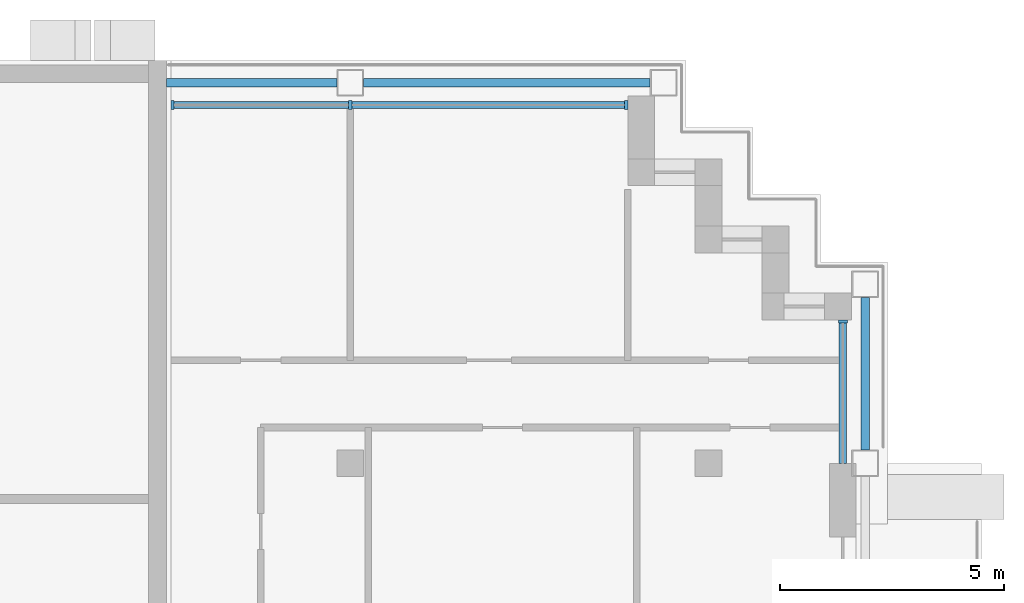
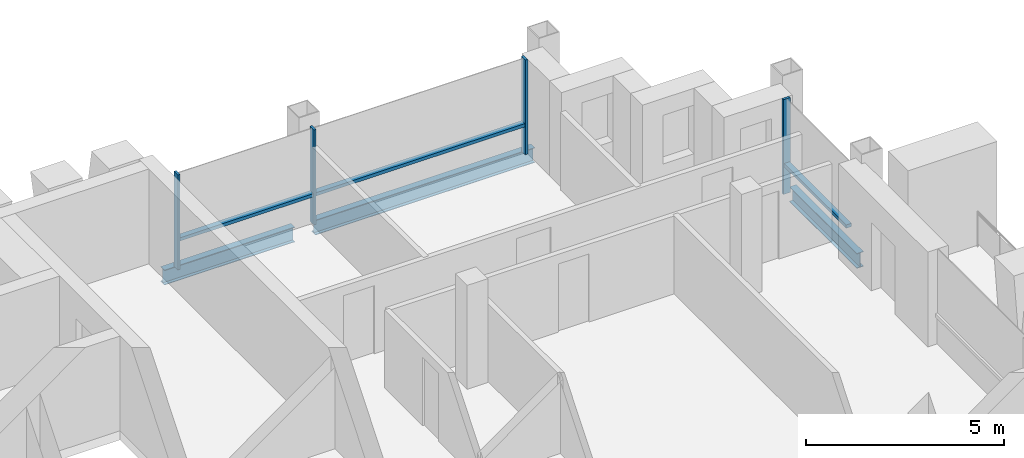
# One storey, part 5 of 16: 7 members, 3 beams, 2 elements without a shape of their own.
"""IFC4 building model written with IfcOpenShell, lengths in metres."""

from ifc_helpers import new_model, si_unit, direction, frame, origin, origin_2d, place, context, subcontext, project, spatial, rectangle, i_section, extrude, material, material_profile, profile_set, type_object, element, aggregate, save


model = new_model("IFC4")

# Units and contexts
model_context = context("Model", 3, precision=1e-05, world=origin(), true_north=direction((0.0, 1.0)))
body_context = subcontext(model_context, "Body", "Model", "MODEL_VIEW")
ifc_project = project(units=[si_unit("LENGTHUNIT", "METRE"), si_unit("AREAUNIT", "SQUARE_METRE"), si_unit("VOLUMEUNIT", "CUBIC_METRE"), si_unit("PLANEANGLEUNIT", "RADIAN"), si_unit("MASSUNIT", "GRAM", prefix="KILO")], contexts=[model_context])

# Site, building, storey
site_placement = place(None, origin())
site = spatial("IfcSite", under=ifc_project, at=site_placement, CompositionType="ELEMENT")
building_placement = place(site_placement, origin())
building = spatial("IfcBuilding", under=site, at=building_placement, Name="Vidyagriha Tower", CompositionType="ELEMENT")
storey_placement = place(building_placement, frame((0.0, 0.0, 223.60009765625)))
storey = spatial("IfcBuildingStorey", under=building, at=storey_placement, Name="L58", CompositionType="ELEMENT", Elevation=223.60009765625)

# Beams
ifc_material_1 = material(Name="Steel ASTM A992 Grade 50", Category="steel")
ifc_material_profile_1 = material_profile(ifc_material_1, i_section(OverallWidth=0.19189453125, OverallDepth=0.46240234375, WebThickness=0.010498046875, FlangeThickness=0.017578125, at=origin_2d()), Name="W18X60")
ifc_profile_set_1 = profile_set([ifc_material_profile_1], Name="Steel ASTM A992 Grade 50")
beam_type = type_object("IfcBeamType", Name="Edge beam W18X60", PredefinedType="SPANDREL", material=ifc_profile_set_1)
beam_1_placement = place(storey_placement, frame((29.5, 11.300048828125, -0.51123046875), z_axis=(0.0, 1.0, 0.0), x_axis=(-1.0, 0.0, 0.0)))
element("IfcBeam", 1, at=beam_1_placement, inside=storey, type_object=beam_type, Name="st-beam-L58-E17", PredefinedType="SPANDREL", context=body_context, shape_type="SweptSolid", body=[
    extrude(i_section(OverallWidth=0.19189453125, OverallDepth=0.46240234375, WebThickness=0.010498046875, FlangeThickness=0.017578125, at=origin_2d()), origin(), (0.0, 0.0, 1.0), 3.39990234375),
])
beam_2_placement = place(storey_placement, frame((18.300048828125, 19.5, -0.51123046875), z_axis=(1.0, 0.0, 0.0), x_axis=(0.0, 1.0, 0.0)))
element("IfcBeam", 2, at=beam_2_placement, inside=storey, type_object=beam_type, Name="st-beam-L58-NE19", PredefinedType="SPANDREL", context=body_context, shape_type="SweptSolid", body=[
    extrude(i_section(OverallWidth=0.19189453125, OverallDepth=0.46240234375, WebThickness=0.010498046875, FlangeThickness=0.017578125, at=origin_2d()), origin(), (0.0, 0.0, 1.0), 6.39990234375),
])
beam_3_placement = place(storey_placement, frame((13.89990234375, 19.5, -0.51123046875), z_axis=(1.0, 0.0, 0.0), x_axis=(0.0, 1.0, 0.0)))
element("IfcBeam", 3, at=beam_3_placement, inside=storey, type_object=beam_type, Name="st-beam-L58-NC21", PredefinedType="SPANDREL", context=body_context, shape_type="SweptSolid", body=[
    extrude(i_section(OverallWidth=0.19189453125, OverallDepth=0.46240234375, WebThickness=0.010498046875, FlangeThickness=0.017578125, at=origin_2d()), origin(), (0.0, 0.0, 1.0), 3.800048828125),
])

# Curtain wall, members
ifc_material_2 = material(Name="Aluminium and glass curtain wall", Category="aluminium")
curtain_wall_type = type_object("IfcCurtainWallType", Name="Dwelling skin unitised curtain wall", PredefinedType="USERDEFINED", material=ifc_material_2)
curtain_wall_1_placement = place(storey_placement, origin())
curtain_wall_1 = element("IfcCurtainWall", 4, at=curtain_wall_1_placement, inside=storey, type_object=curtain_wall_type, Name="CW1 dwelling skin", ObjectType="UNITISED", PredefinedType="USERDEFINED")
ifc_material_3 = material(Name="Aluminium black anodised", Category="aluminium")
ifc_material_profile_2 = material_profile(ifc_material_3, rectangle(XDim=0.199951171875, YDim=0.070068359375, at=origin_2d()), Name="Mullion 70x200 black aluminium")
ifc_profile_set_2 = profile_set([ifc_material_profile_2], Name="Aluminium black anodised")
member_type_1 = type_object("IfcMemberType", Name="Mullion 70x200 black aluminium", PredefinedType="MULLION", material=ifc_profile_set_2)
member_1_placement = place(storey_placement, frame((24.1650390625, 19.0, 0.0), z_axis=(0.0, 0.0, 1.0), x_axis=(0.0, -1.0, 0.0)))
member_1 = element("IfcMember", 5, at=member_1_placement, type_object=member_type_1, Name="CW1 mullion 1", PredefinedType="MULLION", context=body_context, shape_type="SweptSolid", body=[
    extrude(rectangle(XDim=0.199951171875, YDim=0.070068359375, at=origin_2d()), origin(), (0.0, 0.0, 1.0), 2.919921875),
])
member_2_placement = place(storey_placement, frame((18.0, 19.0, 0.0), z_axis=(0.0, 0.0, 1.0), x_axis=(0.0, -1.0, 0.0)))
member_2 = element("IfcMember", 6, at=member_2_placement, type_object=member_type_1, Name="CW1 mullion 2", PredefinedType="MULLION", context=body_context, shape_type="SweptSolid", body=[
    extrude(rectangle(XDim=0.199951171875, YDim=0.070068359375, at=origin_2d()), origin(), (0.0, 0.0, 1.0), 2.919921875),
])
member_3_placement = place(storey_placement, frame((14.034912109375, 19.0, 0.0), z_axis=(0.0, 0.0, 1.0), x_axis=(0.0, -1.0, 0.0)))
member_3 = element("IfcMember", 7, at=member_3_placement, type_object=member_type_1, Name="CW1 mullion 3", PredefinedType="MULLION", context=body_context, shape_type="SweptSolid", body=[
    extrude(rectangle(XDim=0.199951171875, YDim=0.070068359375, at=origin_2d()), origin(), (0.0, 0.0, 1.0), 2.919921875),
])

# Curtain wall, member
curtain_wall_2_placement = place(storey_placement, origin())
curtain_wall_2 = element("IfcCurtainWall", 8, at=curtain_wall_2_placement, inside=storey, type_object=curtain_wall_type, Name="CW1 dwelling skin", ObjectType="UNITISED", PredefinedType="USERDEFINED")
member_4_placement = place(storey_placement, frame((29.0, 14.1650390625, 0.0), z_axis=(0.0, 0.0, 1.0), x_axis=(-1.0, 0.0, 0.0)))
member_4 = element("IfcMember", 9, at=member_4_placement, type_object=member_type_1, Name="CW1 mullion 2", PredefinedType="MULLION", context=body_context, shape_type="SweptSolid", body=[
    extrude(rectangle(XDim=0.199951171875, YDim=0.070068359375, at=origin_2d()), origin(), (0.0, 0.0, 1.0), 2.919921875),
])

# Member
ifc_material_4 = material(Name="Aluminium black anodised", Category="aluminium")
ifc_material_profile_3 = material_profile(ifc_material_4, rectangle(XDim=0.159912109375, YDim=0.10009765625, at=origin_2d()), Name="Transom 100x160 black aluminium")
ifc_profile_set_3 = profile_set([ifc_material_profile_3], Name="Aluminium black anodised")
member_type_2 = type_object("IfcMemberType", Name="Transom 100x160 black aluminium", PredefinedType="USERDEFINED", material=ifc_profile_set_3)
member_5_placement = place(storey_placement, frame((24.1298828125, 19.0, 0.89990234375), z_axis=(-1.0, 0.0, 0.0), x_axis=(0.0, -1.0, 0.0)))
member_5 = element("IfcMember", 10, at=member_5_placement, type_object=member_type_2, Name="CW1 transom 1.1", ObjectType="TRANSOM", PredefinedType="USERDEFINED", context=body_context, shape_type="SweptSolid", body=[
    extrude(rectangle(XDim=0.159912109375, YDim=0.10009765625, at=origin_2d()), origin(), (0.0, 0.0, 1.0), 6.094970703125),
])

member_6_placement = place(storey_placement, frame((17.965087890625, 19.0, 0.89990234375), z_axis=(-1.0, 0.0, 0.0), x_axis=(0.0, -1.0, 0.0)))
member_6 = element("IfcMember", 11, at=member_6_placement, type_object=member_type_2, Name="CW1 transom 2.1", ObjectType="TRANSOM", PredefinedType="USERDEFINED", context=body_context, shape_type="SweptSolid", body=[
    extrude(rectangle(XDim=0.159912109375, YDim=0.10009765625, at=origin_2d()), origin(), (0.0, 0.0, 1.0), 3.89501953125),
])

aggregate(curtain_wall_1, [member_1, member_2, member_3, member_5, member_6])

member_7_placement = place(storey_placement, frame((29.0, 11.0, 0.89990234375), z_axis=(0.0, 1.0, 0.0), x_axis=(-1.0, 0.0, 0.0)))
member_7 = element("IfcMember", 12, at=member_7_placement, type_object=member_type_2, Name="CW1 transom 1.1", ObjectType="TRANSOM", PredefinedType="USERDEFINED", context=body_context, shape_type="SweptSolid", body=[
    extrude(rectangle(XDim=0.159912109375, YDim=0.10009765625, at=origin_2d()), origin(), (0.0, 0.0, 1.0), 3.1298828125),
])

aggregate(curtain_wall_2, [member_4, member_7])

save(model, "model.ifc")
